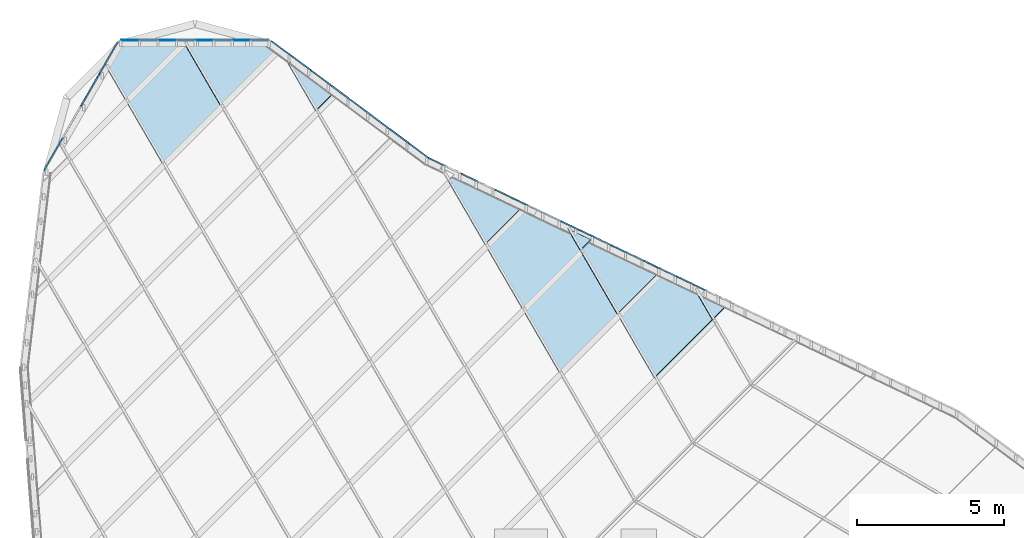
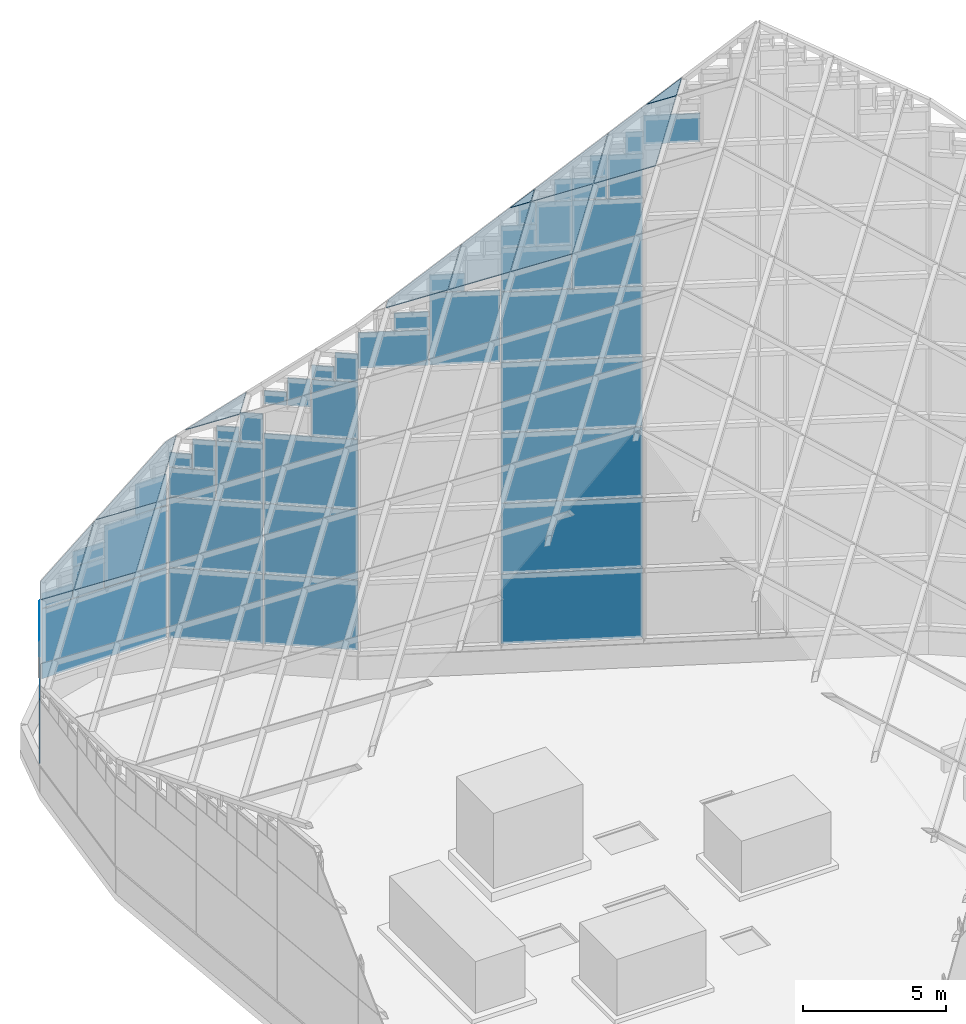
# One storey, part 21 of 29: 56 plates, 1 element without a shape of its own.
"""IFC4 building model written with IfcOpenShell, lengths in metres."""

from ifc_helpers import new_model, si_unit, direction, frame, origin, place, context, subcontext, project, spatial, polyline, outline, extrude, material, layer, layer_set, type_object, element, aggregate, save


model = new_model("IFC4")

# Units and contexts
model_context = context("Model", 3, precision=1e-05, world=origin(), true_north=direction((0.0, 1.0)))
body_context = subcontext(model_context, "Body", "Model", "MODEL_VIEW")
ifc_project = project(units=[si_unit("LENGTHUNIT", "METRE"), si_unit("AREAUNIT", "SQUARE_METRE"), si_unit("VOLUMEUNIT", "CUBIC_METRE"), si_unit("PLANEANGLEUNIT", "RADIAN"), si_unit("MASSUNIT", "GRAM", prefix="KILO")], contexts=[model_context])

# Site, building, storey
site_placement = place(None, origin())
site = spatial("IfcSite", under=ifc_project, at=site_placement, CompositionType="ELEMENT")
building_placement = place(site_placement, origin())
building = spatial("IfcBuilding", under=site, at=building_placement, Name="Tanit Gate Tower", CompositionType="ELEMENT")
storey_placement = place(building_placement, frame((0.0, 0.0, 445.300048828125)))
storey = spatial("IfcBuildingStorey", under=building, at=storey_placement, Name="ROOF", CompositionType="ELEMENT", Elevation=445.300048828125)

# Curtain wall, plates
ifc_material_1 = material(Name="Aluminium bronze anodised and glass", Category="aluminium")
curtain_wall_type = type_object("IfcCurtainWallType", Name="Curtain wall crown roof", PredefinedType="NOTDEFINED", material=ifc_material_1)
curtain_wall_placement = place(storey_placement, origin())
curtain_wall = element("IfcCurtainWall", 1, at=curtain_wall_placement, inside=storey, type_object=curtain_wall_type, Name="Crown lantern", PredefinedType="NOTDEFINED")
ifc_material_2 = material(Name="Glass tinted laminated safety", Category="glass")
ifc_layer = layer(ifc_material_2, 0.033935546875)
ifc_layer_set = layer_set([ifc_layer], Name="Glass panel 34 crown roof")
plate_type = type_object("IfcPlateType", Name="Glass panel 34 crown roof", PredefinedType="CURTAIN_PANEL", material=ifc_layer_set)
plate_1_placement = place(storey_placement, frame((9.159912109375, 11.9189453125, 22.21484375), z_axis=(0.43108842423, 0.902309686579, 0.0), x_axis=(-0.902309686579, 0.43108842423, 0.0)))
plate_1 = element("IfcPlate", 2, at=plate_1_placement, type_object=plate_type, Name="Lantern clerestory glass 5.8.2", PredefinedType="CURTAIN_PANEL", context=body_context, shape_type="SweptSolid", body=[
    extrude(outline(polyline([(0.0, 0.0), (1.9770767990288383, 0.0), (1.9770767990288383, 1.22021484375), (0.0, 1.22021484375), (0.0, 0.0)])), origin(), (0.0, 0.0, -1.0), 0.033935546875),
])
plate_2_placement = place(storey_placement, frame((7.348876953125, 12.7841796875, 1.21484375), z_axis=(0.431060203817, 0.902323168652, 0.0), x_axis=(-0.902323168652, 0.431060203817, 0.0)))
plate_2 = element("IfcPlate", 3, at=plate_2_placement, type_object=plate_type, Name="Lantern clerestory glass 6.1.1", PredefinedType="CURTAIN_PANEL", context=body_context, shape_type="SweptSolid", body=[
    extrude(outline(polyline([(0.0, 0.0), (4.961422687743921, 0.0), (4.961422687743921, 2.97021484375), (0.0, 2.97021484375), (0.0, 0.0)])), origin(), (0.0, 0.0, -1.0), 0.033935546875),
])
plate_3_placement = place(storey_placement, frame((7.348876953125, 12.7841796875, 4.21484375), z_axis=(0.431060203817, 0.902323168652, 0.0), x_axis=(-0.902323168652, 0.431060203817, 0.0)))
plate_3 = element("IfcPlate", 4, at=plate_3_placement, type_object=plate_type, Name="Lantern clerestory glass 6.2.1", PredefinedType="CURTAIN_PANEL", context=body_context, shape_type="SweptSolid", body=[
    extrude(outline(polyline([(0.0, 0.0), (4.961422687743921, 0.0), (4.961422687743921, 2.97021484375), (0.0, 2.97021484375), (0.0, 0.0)])), origin(), (0.0, 0.0, -1.0), 0.033935546875),
])
plate_4_placement = place(storey_placement, frame((7.348876953125, 12.7841796875, 7.21484375), z_axis=(0.431060203817, 0.902323168652, 0.0), x_axis=(-0.902323168652, 0.431060203817, 0.0)))
plate_4 = element("IfcPlate", 5, at=plate_4_placement, type_object=plate_type, Name="Lantern clerestory glass 6.3.1", PredefinedType="CURTAIN_PANEL", context=body_context, shape_type="SweptSolid", body=[
    extrude(outline(polyline([(0.0, 0.0), (4.961422687743921, 0.0), (4.961422687743921, 2.97021484375), (0.0, 2.97021484375), (0.0, 0.0)])), origin(), (0.0, 0.0, -1.0), 0.033935546875),
])
plate_5_placement = place(storey_placement, frame((7.348876953125, 12.7841796875, 10.21484375), z_axis=(0.431060203817, 0.902323168652, 0.0), x_axis=(-0.902323168652, 0.431060203817, 0.0)))
plate_5 = element("IfcPlate", 6, at=plate_5_placement, type_object=plate_type, Name="Lantern clerestory glass 6.4.1", PredefinedType="CURTAIN_PANEL", context=body_context, shape_type="SweptSolid", body=[
    extrude(outline(polyline([(0.0, 0.0), (4.961422687743921, 0.0), (4.961422687743921, 2.97021484375), (0.0, 2.97021484375), (0.0, 0.0)])), origin(), (0.0, 0.0, -1.0), 0.033935546875),
])
plate_6_placement = place(storey_placement, frame((7.348876953125, 12.7841796875, 13.21484375), z_axis=(0.431060203817, 0.902323168652, 0.0), x_axis=(-0.902323168652, 0.431060203817, 0.0)))
plate_6 = element("IfcPlate", 7, at=plate_6_placement, type_object=plate_type, Name="Lantern clerestory glass 6.5.1", PredefinedType="CURTAIN_PANEL", context=body_context, shape_type="SweptSolid", body=[
    extrude(outline(polyline([(0.0, 0.0), (4.961422687743921, 0.0), (4.961422687743921, 2.97021484375), (0.0, 2.97021484375), (0.0, 0.0)])), origin(), (0.0, 0.0, -1.0), 0.033935546875),
])
plate_7_placement = place(storey_placement, frame((7.348876953125, 12.7841796875, 16.21484375), z_axis=(0.4311016077, 0.902303387913, 0.0), x_axis=(-0.902303387913, 0.4311016077, 0.0)))
plate_7 = element("IfcPlate", 8, at=plate_7_placement, type_object=plate_type, Name="Lantern clerestory glass 6.6.1", PredefinedType="CURTAIN_PANEL", context=body_context, shape_type="SweptSolid", body=[
    extrude(outline(polyline([(0.0, 0.0), (2.4657488217707315, 0.0), (2.4657488217707315, 3.729736328125), (0.0, 3.729736328125), (0.0, 0.0)])), origin(), (0.0, 0.0, -1.0), 0.033935546875),
])
plate_8_placement = place(storey_placement, frame((5.096923828125, 13.860107421875, 16.21484375), z_axis=(0.431020991152, 0.902341900383, 0.0), x_axis=(-0.902341900383, 0.431020991152, 0.0)))
plate_8 = element("IfcPlate", 9, at=plate_8_placement, type_object=plate_type, Name="Lantern clerestory glass 6.6.2", PredefinedType="CURTAIN_PANEL", context=body_context, shape_type="SweptSolid", body=[
    extrude(outline(polyline([(0.0, 0.0), (2.465643582195466, 0.0), (2.465643582195466, 1.849853515625), (0.0, 1.849853515625), (0.0, 0.0)])), origin(), (0.0, 0.0, -1.0), 0.033935546875),
])
plate_9_placement = place(storey_placement, frame((5.096923828125, 13.860107421875, 18.0947265625), z_axis=(0.431022728609, 0.902341070451, 0.0), x_axis=(-0.902341070451, 0.431022728609, 0.0)))
plate_9 = element("IfcPlate", 10, at=plate_9_placement, type_object=plate_type, Name="Lantern clerestory glass 6.6.3", PredefinedType="CURTAIN_PANEL", context=body_context, shape_type="SweptSolid", body=[
    extrude(outline(polyline([(0.0, 0.0), (1.2178066466330058, 0.0), (1.2178066466330058, 1.8498535156249996), (0.0, 1.8498535156249996), (0.0, 0.0)])), origin(), (0.0, 0.0, -1.0), 0.033935546875),
])
plate_10_placement = place(storey_placement, frame((3.970947265625, 14.39794921875, 18.0947265625), z_axis=(0.431022728609, 0.902341070451, 0.0), x_axis=(-0.902341070451, 0.431022728609, 0.0)))
plate_10 = element("IfcPlate", 11, at=plate_10_placement, type_object=plate_type, Name="Lantern clerestory glass 6.6.4", PredefinedType="CURTAIN_PANEL", context=body_context, shape_type="SweptSolid", body=[
    extrude(outline(polyline([(0.0, 0.0), (1.2178066466330058, 0.0), (1.2178066466330058, 0.9099121093750002), (0.0, 0.9099121093750002), (0.0, 0.0)])), origin(), (0.0, 0.0, -1.0), 0.033935546875),
])
plate_11_placement = place(storey_placement, frame((3.970947265625, 14.39794921875, 19.03466796875), z_axis=(0.431193670556, 0.902259396445, 0.0), x_axis=(-0.902259396445, 0.431193670556, 0.0)))
plate_11 = element("IfcPlate", 12, at=plate_11_placement, type_object=plate_type, Name="Lantern clerestory glass 6.6.5", PredefinedType="CURTAIN_PANEL", context=body_context, shape_type="SweptSolid", body=[
    extrude(outline(polyline([(0.0, 0.0), (0.5939408045920368, 0.0), (0.5939408045920368, 0.9099121093749999), (0.0, 0.9099121093749999), (0.0, 0.0)])), origin(), (0.0, 0.0, -1.0), 0.033935546875),
])
plate_12_placement = place(storey_placement, frame((7.348876953125, 12.7841796875, 19.974609375), z_axis=(0.431022728609, 0.902341070451, 0.0), x_axis=(-0.902341070451, 0.431022728609, 0.0)))
plate_12 = element("IfcPlate", 13, at=plate_12_placement, type_object=plate_type, Name="Lantern clerestory glass 6.6.6", PredefinedType="CURTAIN_PANEL", context=body_context, shape_type="SweptSolid", body=[
    extrude(outline(polyline([(0.0, 0.0), (1.2178066466330058, 0.0), (1.2178066466330058, 1.8498535156249996), (0.0, 1.8498535156249996), (0.0, 0.0)])), origin(), (0.0, 0.0, -1.0), 0.033935546875),
])
plate_13_placement = place(storey_placement, frame((6.222900390625, 13.322021484375, 19.974609375), z_axis=(0.431185938647, 0.902263091516, 0.0), x_axis=(-0.902263091516, 0.431185938647, 0.0)))
plate_13 = element("IfcPlate", 14, at=plate_13_placement, type_object=plate_type, Name="Lantern clerestory glass 6.6.7", PredefinedType="CURTAIN_PANEL", context=body_context, shape_type="SweptSolid", body=[
    extrude(outline(polyline([(0.0, 0.0), (1.2179118967153189, 0.0), (1.2179118967153189, 0.9099121093750002), (0.0, 0.9099121093750002), (0.0, 0.0)])), origin(), (0.0, 0.0, -1.0), 0.033935546875),
])
plate_14_placement = place(storey_placement, frame((6.222900390625, 13.322021484375, 20.91455078125), z_axis=(0.431193670556, 0.902259396445, 0.0), x_axis=(-0.902259396445, 0.431193670556, 0.0)))
plate_14 = element("IfcPlate", 15, at=plate_14_placement, type_object=plate_type, Name="Lantern clerestory glass 6.6.8", PredefinedType="CURTAIN_PANEL", context=body_context, shape_type="SweptSolid", body=[
    extrude(outline(polyline([(0.0, 0.0), (0.5939408045920368, 0.0), (0.5939408045920368, 0.9099121093749999), (0.0, 0.9099121093749999), (0.0, 0.0)])), origin(), (0.0, 0.0, -1.0), 0.033935546875),
])
plate_15_placement = place(storey_placement, frame((7.348876953125, 12.7841796875, 21.8544921875), z_axis=(0.431193670556, 0.902259396445, 0.0), x_axis=(-0.902259396445, 0.431193670556, 0.0)))
plate_15 = element("IfcPlate", 16, at=plate_15_placement, type_object=plate_type, Name="Lantern clerestory glass 6.6.10", PredefinedType="CURTAIN_PANEL", context=body_context, shape_type="SweptSolid", body=[
    extrude(outline(polyline([(0.0, 0.0), (0.5939408045920368, 0.0), (0.5939408045920368, 0.9099121093749999), (0.0, 0.9099121093749999), (0.0, 0.0)])), origin(), (0.0, 0.0, -1.0), 0.033935546875),
])
plate_16_placement = place(storey_placement, frame((5.096923828125, 13.860107421875, 19.974609375), z_axis=(0.430858955566, 0.902419281935, 0.0), x_axis=(-0.902419281935, 0.430858955566, 0.0)))
plate_16 = element("IfcPlate", 17, at=plate_16_placement, type_object=plate_type, Name="Lantern clerestory glass 6.6.12", PredefinedType="CURTAIN_PANEL", context=body_context, shape_type="SweptSolid", body=[
    extrude(outline(polyline([(0.0, 0.0), (0.5938355735549548, 0.0), (0.5938355735549548, 0.909912109375), (0.0, 0.909912109375), (0.0, 0.0)])), origin(), (0.0, 0.0, -1.0), 0.033935546875),
])
plate_17_placement = place(storey_placement, frame((2.844970703125, 14.935791015625, 13.21484375), z_axis=(0.4311016077, 0.902303387913, 0.0), x_axis=(-0.902303387913, 0.4311016077, 0.0)))
plate_17 = element("IfcPlate", 18, at=plate_17_placement, type_object=plate_type, Name="Lantern clerestory glass 7.5.1", PredefinedType="CURTAIN_PANEL", context=body_context, shape_type="SweptSolid", body=[
    extrude(outline(polyline([(0.0, 0.0), (2.4657488217707315, 0.0), (2.4657488217707315, 3.065673828125), (0.0, 3.065673828125), (0.0, 0.0)])), origin(), (0.0, 0.0, -1.0), 0.033935546875),
])
plate_18_placement = place(storey_placement, frame((0.593017578125, 16.01171875, 13.21484375), z_axis=(0.4311016077, 0.902303387913, 0.0), x_axis=(-0.902303387913, 0.4311016077, 0.0)))
plate_18 = element("IfcPlate", 19, at=plate_18_placement, type_object=plate_type, Name="Lantern clerestory glass 7.5.2", PredefinedType="CURTAIN_PANEL", context=body_context, shape_type="SweptSolid", body=[
    extrude(outline(polyline([(0.0, 0.0), (2.4657488217707315, 0.0), (2.4657488217707315, 1.517822265625), (0.0, 1.517822265625), (0.0, 0.0)])), origin(), (0.0, 0.0, -1.0), 0.033935546875),
])
plate_19_placement = place(storey_placement, frame((0.593017578125, 16.01171875, 14.7626953125), z_axis=(0.431022728609, 0.902341070451, 0.0), x_axis=(-0.902341070451, 0.431022728609, 0.0)))
plate_19 = element("IfcPlate", 20, at=plate_19_placement, type_object=plate_type, Name="Lantern clerestory glass 7.5.3", PredefinedType="CURTAIN_PANEL", context=body_context, shape_type="SweptSolid", body=[
    extrude(outline(polyline([(0.0, 0.0), (1.2178066466330058, 0.0), (1.2178066466330058, 0.743896484375), (0.0, 0.743896484375), (0.0, 0.0)])), origin(), (0.0, 0.0, -1.0), 0.033935546875),
])
plate_20_placement = place(storey_placement, frame((1.718994140625, 15.473876953125, 16.310546875), z_axis=(0.431022728609, 0.902341070451, 0.0), x_axis=(-0.902341070451, 0.431022728609, 0.0)))
plate_20 = element("IfcPlate", 21, at=plate_20_placement, type_object=plate_type, Name="Lantern clerestory glass 7.5.7", PredefinedType="CURTAIN_PANEL", context=body_context, shape_type="SweptSolid", body=[
    extrude(outline(polyline([(0.0, 0.0), (1.2178066466330058, 0.0), (1.2178066466330058, 0.743896484375), (0.0, 0.743896484375), (0.0, 0.0)])), origin(), (0.0, 0.0, -1.0), 0.033935546875),
])
plate_21_placement = place(storey_placement, frame((-1.63525390625, 17.07666015625, 1.21484375), z_axis=(0.597336927647, 0.801990395746, 0.0), x_axis=(-0.801990395746, 0.597336927647, 0.0)))
plate_21 = element("IfcPlate", 22, at=plate_21_placement, type_object=plate_type, Name="Lantern clerestory glass 8.1.1", PredefinedType="CURTAIN_PANEL", context=body_context, shape_type="SweptSolid", body=[
    extrude(outline(polyline([(0.0, 0.0), (3.304461622522375, 0.0), (3.304461622522375, 2.97021484375), (0.0, 2.97021484375), (0.0, 0.0)])), origin(), (0.0, 0.0, -1.0), 0.033935546875),
])
plate_22_placement = place(storey_placement, frame((-1.63525390625, 17.07666015625, 4.21484375), z_axis=(0.597336927647, 0.801990395746, 0.0), x_axis=(-0.801990395746, 0.597336927647, 0.0)))
plate_22 = element("IfcPlate", 23, at=plate_22_placement, type_object=plate_type, Name="Lantern clerestory glass 8.2.1", PredefinedType="CURTAIN_PANEL", context=body_context, shape_type="SweptSolid", body=[
    extrude(outline(polyline([(0.0, 0.0), (3.304461622522375, 0.0), (3.304461622522375, 2.97021484375), (0.0, 2.97021484375), (0.0, 0.0)])), origin(), (0.0, 0.0, -1.0), 0.033935546875),
])
plate_23_placement = place(storey_placement, frame((-1.63525390625, 17.07666015625, 7.21484375), z_axis=(0.597336927647, 0.801990395746, 0.0), x_axis=(-0.801990395746, 0.597336927647, 0.0)))
plate_23 = element("IfcPlate", 24, at=plate_23_placement, type_object=plate_type, Name="Lantern clerestory glass 8.3.1", PredefinedType="CURTAIN_PANEL", context=body_context, shape_type="SweptSolid", body=[
    extrude(outline(polyline([(0.0, 0.0), (3.304461622522375, 0.0), (3.304461622522375, 2.97021484375), (0.0, 2.97021484375), (0.0, 0.0)])), origin(), (0.0, 0.0, -1.0), 0.033935546875),
])
plate_24_placement = place(storey_placement, frame((-1.63525390625, 17.07666015625, 10.21484375), z_axis=(0.597372270002, 0.801964070911, 0.0), x_axis=(-0.801964070911, 0.597372270002, 0.0)))
plate_24 = element("IfcPlate", 25, at=plate_24_placement, type_object=plate_type, Name="Lantern clerestory glass 8.4.1", PredefinedType="CURTAIN_PANEL", context=body_context, shape_type="SweptSolid", body=[
    extrude(outline(polyline([(0.0, 0.0), (1.6372158415500717, 0.0), (1.6372158415500717, 2.4013671875), (0.0, 2.4013671875), (0.0, 0.0)])), origin(), (0.0, 0.0, -1.0), 0.033935546875),
])
plate_25_placement = place(storey_placement, frame((-2.972412109375, 18.072509765625, 11.4306640625), z_axis=(0.597469833413, 0.801891388008, 0.0), x_axis=(-0.801891388008, 0.597469833413, 0.0)))
plate_25 = element("IfcPlate", 26, at=plate_25_placement, type_object=plate_type, Name="Lantern clerestory glass 8.4.3", PredefinedType="CURTAIN_PANEL", context=body_context, shape_type="SweptSolid", body=[
    extrude(outline(polyline([(0.0, 0.0), (0.8037637760411537, 0.0), (0.8037637760411537, 1.185546875), (0.0, 1.185546875), (0.0, 0.0)])), origin(), (0.0, 0.0, -1.0), 0.033935546875),
])
plate_26_placement = place(storey_placement, frame((-3.640869140625, 18.570556640625, 11.4306640625), z_axis=(0.597274462033, 0.802036917481, 0.0), x_axis=(-0.802036917481, 0.597274462033, 0.0)))
plate_26 = element("IfcPlate", 27, at=plate_26_placement, type_object=plate_type, Name="Lantern clerestory glass 8.4.4", PredefinedType="CURTAIN_PANEL", context=body_context, shape_type="SweptSolid", body=[
    extrude(outline(polyline([(0.0, 0.0), (0.8036179332294869, 0.0), (0.8036179332294869, 0.577880859375), (0.0, 0.577880859375), (0.0, 0.0)])), origin(), (0.0, 0.0, -1.0), 0.033935546875),
])
plate_27_placement = place(storey_placement, frame((-1.63525390625, 17.07666015625, 12.646240234375), z_axis=(0.597274462033, 0.802036917481, 0.0), x_axis=(-0.802036917481, 0.597274462033, 0.0)))
plate_27 = element("IfcPlate", 28, at=plate_27_placement, type_object=plate_type, Name="Lantern clerestory glass 8.4.5", PredefinedType="CURTAIN_PANEL", context=body_context, shape_type="SweptSolid", body=[
    extrude(outline(polyline([(0.0, 0.0), (0.8036179332294869, 0.0), (0.8036179332294869, 1.185791015625), (0.0, 1.185791015625), (0.0, 0.0)])), origin(), (0.0, 0.0, -1.0), 0.033935546875),
])
plate_28_placement = place(storey_placement, frame((-2.3037109375, 17.57470703125, 12.646240234375), z_axis=(0.597274462033, 0.802036917481, 0.0), x_axis=(-0.802036917481, 0.597274462033, 0.0)))
plate_28 = element("IfcPlate", 29, at=plate_28_placement, type_object=plate_type, Name="Lantern clerestory glass 8.4.6", PredefinedType="CURTAIN_PANEL", context=body_context, shape_type="SweptSolid", body=[
    extrude(outline(polyline([(0.0, 0.0), (0.8036179332294869, 0.0), (0.8036179332294869, 0.577880859375), (0.0, 0.577880859375), (0.0, 0.0)])), origin(), (0.0, 0.0, -1.0), 0.033935546875),
])
plate_29_placement = place(storey_placement, frame((-4.3095703125, 19.068603515625, 1.21484375), z_axis=(0.597336927647, 0.801990395746, 0.0), x_axis=(-0.801990395746, 0.597336927647, 0.0)))
plate_29 = element("IfcPlate", 30, at=plate_29_placement, type_object=plate_type, Name="Lantern clerestory glass 9.1.1", PredefinedType="CURTAIN_PANEL", context=body_context, shape_type="SweptSolid", body=[
    extrude(outline(polyline([(0.0, 0.0), (3.304461622522375, 0.0), (3.304461622522375, 2.97021484375), (0.0, 2.97021484375), (0.0, 0.0)])), origin(), (0.0, 0.0, -1.0), 0.033935546875),
])
plate_30_placement = place(storey_placement, frame((-4.3095703125, 19.068603515625, 4.21484375), z_axis=(0.597336927647, 0.801990395746, 0.0), x_axis=(-0.801990395746, 0.597336927647, 0.0)))
plate_30 = element("IfcPlate", 31, at=plate_30_placement, type_object=plate_type, Name="Lantern clerestory glass 9.2.1", PredefinedType="CURTAIN_PANEL", context=body_context, shape_type="SweptSolid", body=[
    extrude(outline(polyline([(0.0, 0.0), (3.304461622522375, 0.0), (3.304461622522375, 2.97021484375), (0.0, 2.97021484375), (0.0, 0.0)])), origin(), (0.0, 0.0, -1.0), 0.033935546875),
])
plate_31_placement = place(storey_placement, frame((-4.3095703125, 19.068603515625, 7.21484375), z_axis=(0.597372270002, 0.801964070911, 0.0), x_axis=(-0.801964070911, 0.597372270002, 0.0)))
plate_31 = element("IfcPlate", 32, at=plate_31_placement, type_object=plate_type, Name="Lantern clerestory glass 9.3.1", PredefinedType="CURTAIN_PANEL", context=body_context, shape_type="SweptSolid", body=[
    extrude(outline(polyline([(0.0, 0.0), (1.6372158415500717, 0.0), (1.6372158415500717, 2.51806640625), (0.0, 2.51806640625), (0.0, 0.0)])), origin(), (0.0, 0.0, -1.0), 0.033935546875),
])
plate_32_placement = place(storey_placement, frame((-5.646728515625, 20.064453125, 7.21484375), z_axis=(0.597372270002, 0.801964070911, 0.0), x_axis=(-0.801964070911, 0.597372270002, 0.0)))
plate_32 = element("IfcPlate", 33, at=plate_32_placement, type_object=plate_type, Name="Lantern clerestory glass 9.3.2", PredefinedType="CURTAIN_PANEL", context=body_context, shape_type="SweptSolid", body=[
    extrude(outline(polyline([(0.0, 0.0), (1.6372158415500717, 0.0), (1.6372158415500717, 1.244140625), (0.0, 1.244140625), (0.0, 0.0)])), origin(), (0.0, 0.0, -1.0), 0.033935546875),
])
plate_33_placement = place(storey_placement, frame((-5.646728515625, 20.064453125, 8.489013671875), z_axis=(0.597469833413, 0.801891388008, 0.0), x_axis=(-0.801891388008, 0.597469833413, 0.0)))
plate_33 = element("IfcPlate", 34, at=plate_33_placement, type_object=plate_type, Name="Lantern clerestory glass 9.3.3", PredefinedType="CURTAIN_PANEL", context=body_context, shape_type="SweptSolid", body=[
    extrude(outline(polyline([(0.0, 0.0), (0.8037637760411537, 0.0), (0.8037637760411537, 1.243896484375), (0.0, 1.243896484375), (0.0, 0.0)])), origin(), (0.0, 0.0, -1.0), 0.033935546875),
])
plate_34_placement = place(storey_placement, frame((-6.315185546875, 20.5625, 8.489013671875), z_axis=(0.597274462033, 0.802036917481, 0.0), x_axis=(-0.802036917481, 0.597274462033, 0.0)))
plate_34 = element("IfcPlate", 35, at=plate_34_placement, type_object=plate_type, Name="Lantern clerestory glass 9.3.4", PredefinedType="CURTAIN_PANEL", context=body_context, shape_type="SweptSolid", body=[
    extrude(outline(polyline([(0.0, 0.0), (0.8036179332294869, 0.0), (0.8036179332294869, 0.60693359375), (0.0, 0.60693359375), (0.0, 0.0)])), origin(), (0.0, 0.0, -1.0), 0.033935546875),
])
plate_35_placement = place(storey_placement, frame((-4.3095703125, 19.068603515625, 9.762939453125), z_axis=(0.597274462033, 0.802036917481, 0.0), x_axis=(-0.802036917481, 0.597274462033, 0.0)))
plate_35 = element("IfcPlate", 36, at=plate_35_placement, type_object=plate_type, Name="Lantern clerestory glass 9.3.5", PredefinedType="CURTAIN_PANEL", context=body_context, shape_type="SweptSolid", body=[
    extrude(outline(polyline([(0.0, 0.0), (0.8036179332294869, 0.0), (0.8036179332294869, 1.243896484375), (0.0, 1.243896484375), (0.0, 0.0)])), origin(), (0.0, 0.0, -1.0), 0.033935546875),
])
plate_36_placement = place(storey_placement, frame((-4.97802734375, 19.56640625, 9.762939453125), z_axis=(0.597469833413, 0.801891388008, 0.0), x_axis=(-0.801891388008, 0.597469833413, 0.0)))
plate_36 = element("IfcPlate", 37, at=plate_36_placement, type_object=plate_type, Name="Lantern clerestory glass 9.3.6", PredefinedType="CURTAIN_PANEL", context=body_context, shape_type="SweptSolid", body=[
    extrude(outline(polyline([(0.0, 0.0), (0.8037637760411537, 0.0), (0.8037637760411537, 0.60693359375), (0.0, 0.60693359375), (0.0, 0.0)])), origin(), (0.0, 0.0, -1.0), 0.033935546875),
])
plate_37_placement = place(storey_placement, frame((-7.06689453125, 21.078125, 1.21484375), z_axis=(0.000438446881, 0.999999903882, 0.0), x_axis=(-0.999999903882, 0.000438446881, 0.0)))
plate_37 = element("IfcPlate", 38, at=plate_37_placement, type_object=plate_type, Name="Lantern clerestory glass 10.1.1", PredefinedType="CURTAIN_PANEL", context=body_context, shape_type="SweptSolid", body=[
    extrude(outline(polyline([(0.0, 0.0), (5.011475091067155, 0.0), (5.011475091067155, 2.97021484375), (0.0, 2.97021484375), (0.0, 0.0)])), origin(), (0.0, 0.0, -1.0), 0.033935546875),
])
plate_38_placement = place(storey_placement, frame((-7.06689453125, 21.078125, 4.21484375), z_axis=(0.000392079954, 0.999999923137, 0.0), x_axis=(-0.999999923137, 0.000392079954, 0.0)))
plate_38 = element("IfcPlate", 39, at=plate_38_placement, type_object=plate_type, Name="Lantern clerestory glass 10.2.1", PredefinedType="CURTAIN_PANEL", context=body_context, shape_type="SweptSolid", body=[
    extrude(outline(polyline([(0.0, 0.0), (2.4907228476952974, 0.0), (2.4907228476952974, 2.634521484375), (0.0, 2.634521484375), (0.0, 0.0)])), origin(), (0.0, 0.0, -1.0), 0.033935546875),
])
plate_39_placement = place(storey_placement, frame((-9.587646484375, 21.079345703125, 4.21484375), z_axis=(0.000396904116, 0.999999921234, 0.0), x_axis=(-0.999999921234, 0.000396904116, 0.0)))
plate_39 = element("IfcPlate", 40, at=plate_39_placement, type_object=plate_type, Name="Lantern clerestory glass 10.2.2", PredefinedType="CURTAIN_PANEL", context=body_context, shape_type="SweptSolid", body=[
    extrude(outline(polyline([(0.0, 0.0), (1.230224706275423, 0.0), (1.230224706275423, 1.30224609375), (0.0, 1.30224609375), (0.0, 0.0)])), origin(), (0.0, 0.0, -1.0), 0.033935546875),
])
plate_40_placement = place(storey_placement, frame((-10.847900390625, 21.079833984375, 4.21484375), z_axis=(0.000396825366, 0.999999921265, 0.0), x_axis=(-0.999999921265, 0.000396825366, 0.0)))
plate_40 = element("IfcPlate", 41, at=plate_40_placement, type_object=plate_type, Name="Lantern clerestory glass 10.2.3", PredefinedType="CURTAIN_PANEL", context=body_context, shape_type="SweptSolid", body=[
    extrude(outline(polyline([(0.0, 0.0), (1.2304688468811966, 0.0), (1.2304688468811966, 0.63623046875), (0.0, 0.63623046875), (0.0, 0.0)])), origin(), (0.0, 0.0, -1.0), 0.033935546875),
])
plate_41_placement = place(storey_placement, frame((-9.587646484375, 21.079345703125, 5.547119140625), z_axis=(0.000396904116, 0.999999921234, 0.0), x_axis=(-0.999999921234, 0.000396904116, 0.0)))
plate_41 = element("IfcPlate", 42, at=plate_41_placement, type_object=plate_type, Name="Lantern clerestory glass 10.2.5", PredefinedType="CURTAIN_PANEL", context=body_context, shape_type="SweptSolid", body=[
    extrude(outline(polyline([(0.0, 0.0), (1.230224706275423, 0.0), (1.230224706275423, 0.6362304687500001), (0.0, 0.6362304687500001), (0.0, 0.0)])), origin(), (0.0, 0.0, -1.0), 0.033935546875),
])
plate_42_placement = place(storey_placement, frame((-7.06689453125, 21.078125, 6.87939453125), z_axis=(0.000396904116, 0.999999921234, 0.0), x_axis=(-0.999999921234, 0.000396904116, 0.0)))
plate_42 = element("IfcPlate", 43, at=plate_42_placement, type_object=plate_type, Name="Lantern clerestory glass 10.2.7", PredefinedType="CURTAIN_PANEL", context=body_context, shape_type="SweptSolid", body=[
    extrude(outline(polyline([(0.0, 0.0), (1.230224706275423, 0.0), (1.230224706275423, 1.30224609375), (0.0, 1.30224609375), (0.0, 0.0)])), origin(), (0.0, 0.0, -1.0), 0.033935546875),
])
plate_43_placement = place(storey_placement, frame((-12.217041015625, 21.000244140625, 1.21484375), z_axis=(-0.866630096088, 0.498951176523, 0.0), x_axis=(-0.498951176523, -0.866630096088, 0.0)))
plate_43 = element("IfcPlate", 44, at=plate_43_placement, type_object=plate_type, Name="Lantern clerestory glass 11.1.1", PredefinedType="CURTAIN_PANEL", context=body_context, shape_type="SweptSolid", body=[
    extrude(outline(polyline([(0.0, 0.0), (5.025189510966156, 0.0), (5.025189510966156, 2.732177734375), (0.0, 2.732177734375), (0.0, 0.0)])), origin(), (0.0, 0.0, -1.0), 0.033935546875),
])
plate_44_placement = place(storey_placement, frame((-12.217041015625, 21.000244140625, 3.97705078125), z_axis=(-0.866606900921, 0.498991462128, 0.0), x_axis=(-0.498991462128, -0.866606900921, 0.0)))
plate_44 = element("IfcPlate", 45, at=plate_44_placement, type_object=plate_type, Name="Lantern clerestory glass 11.2.1", PredefinedType="CURTAIN_PANEL", context=body_context, shape_type="SweptSolid", body=[
    extrude(outline(polyline([(0.0, 0.0), (1.233934251347518, 0.0), (1.233934251347518, 0.66259765625), (0.0, 0.66259765625), (0.0, 0.0)])), origin(), (0.0, 0.0, -1.0), 0.033935546875),
])
plate_45_placement = place(storey_placement, frame((-12.84765625, 19.905029296875, 3.97705078125), z_axis=(-0.866692455151, 0.498842849186, 0.0), x_axis=(-0.498842849186, -0.866692455151, 0.0)))
plate_45 = element("IfcPlate", 46, at=plate_45_placement, type_object=plate_type, Name="Lantern clerestory glass 11.2.2", PredefinedType="CURTAIN_PANEL", context=body_context, shape_type="SweptSolid", body=[
    extrude(outline(polyline([(0.0, 0.0), (1.233812445400417, 0.0), (1.233812445400417, 0.66259765625), (0.0, 0.66259765625), (0.0, 0.0)])), origin(), (0.0, 0.0, -1.0), 0.033935546875),
])
plate_46_placement = place(storey_placement, frame((-10.001708984375, 20.97119140625, 7.2529296875), z_axis=(-0.624504054263, 0.207437473297, 0.752970371848), x_axis=(-0.658392897607, -0.658433812345, -0.364669312038)))
plate_46 = element("IfcPlate", 47, at=plate_46_placement, type_object=plate_type, Name="Lantern roof glass E8.9.1", PredefinedType="CURTAIN_PANEL", context=body_context, shape_type="SweptSolid", body=[
    extrude(outline(polyline([(0.0, 0.0), (2.9500503645539125, -1.1102230246251565e-16), (2.949936092433135, 2.9719917025038955), (-0.04596151373869517, 2.971933170207084), (-0.04601711567214148, 0.041902581791069204), (0.0, 0.0)])), origin(), (0.0, 0.0, -1.0), 0.033935546875),
])
plate_47_placement = place(storey_placement, frame((-11.955810546875, 19.049072265625, 6.161865234375), z_axis=(-0.624471135348, 0.207465846625, 0.75298985624), x_axis=(0.658421863874, 0.658425124521, 0.364632698167)))
plate_47 = element("IfcPlate", 48, at=plate_47_placement, type_object=plate_type, Name="Lantern roof glass E8.10.1", PredefinedType="CURTAIN_PANEL", context=body_context, shape_type="SweptSolid", body=[
    extrude(outline(polyline([(0.0, 0.0), (2.919271216708946, -2.220446049250313e-16), (0.8609555327788287, 1.8745600994774794), (0.00015249934927896724, 1.5872276133975716), (0.0, 0.0)])), origin(), (0.0, 0.0, -1.0), 0.033935546875),
])
plate_48_placement = place(storey_placement, frame((-8.72021484375, 18.85400390625, 8.899169921875), z_axis=(-0.624480785001, 0.207446739314, 0.75298711776), x_axis=(0.658441465661, 0.658374065379, 0.36468949304)))
plate_48 = element("IfcPlate", 49, at=plate_48_placement, type_object=plate_type, Name="Lantern roof glass E9.9.1", PredefinedType="CURTAIN_PANEL", context=body_context, shape_type="SweptSolid", body=[
    extrude(outline(polyline([(0.0, 0.0), (2.868710416814431, 0.0), (2.7025419693653325, 0.4653280757337589), (-0.0002545257343704588, 2.926402321209369), (0.0, 0.0)])), origin(), (0.0, 0.0, -1.0), 0.033935546875),
])
plate_49_placement = place(storey_placement, frame((-5.484619140625, 18.65869140625, 11.636474609375), z_axis=(-0.624545850862, 0.207434433268, 0.752936541859), x_axis=(0.658394578776, 0.658394578776, 0.364737107076)))
plate_49 = element("IfcPlate", 50, at=plate_49_placement, type_object=plate_type, Name="Lantern roof glass E10.8.1", PredefinedType="CURTAIN_PANEL", context=body_context, shape_type="SweptSolid", body=[
    extrude(outline(polyline([(0.0, 0.0), (0.9411209117219459, -5.551115123125783e-17), (-5.738030841084818e-05, 2.6327003992225437), (0.0, 0.0)])), origin(), (0.0, 0.0, -1.0), 0.033935546875),
])
plate_50_placement = place(storey_placement, frame((3.516357421875, 13.904296875, 20.41162109375), z_axis=(-0.624491565552, 0.207467895005, 0.752972348162), x_axis=(-0.658417167069, -0.658417167069, -0.364655547356)))
plate_50 = element("IfcPlate", 51, at=plate_50_placement, type_object=plate_type, Name="Lantern roof glass E11.3.1", PredefinedType="CURTAIN_PANEL", context=body_context, shape_type="SweptSolid", body=[
    extrude(outline(polyline([(0.0, 0.0), (2.9960583482065744, -1.1102230246251565e-16), (2.9960611334161062, 2.971889131192224), (2.7852095315639147e-06, 2.9718891311922246), (0.0, 0.0)])), origin(), (0.0, 0.0, -1.0), 0.033935546875),
])
plate_51_placement = place(storey_placement, frame((1.5654296875, 15.38427734375, 18.3857421875), z_axis=(-0.624491066751, 0.20745142523, 0.752977299604), x_axis=(-0.658406067235, -0.658428721863, -0.364654725534)))
plate_51 = element("IfcPlate", 52, at=plate_51_placement, type_object=plate_type, Name="Lantern roof glass E11.4.1", PredefinedType="CURTAIN_PANEL", context=body_context, shape_type="SweptSolid", body=[
    extrude(outline(polyline([(0.0, 0.0), (1.94704966294076, -1.6653345369377348e-16), (1.9472532382489116, 2.9720657634780094), (-1.0488051095720776, 2.972106130401195), (-1.0489509509222636, 1.952150483372145), (0.0, 0.0)])), origin(), (0.0, 0.0, -1.0), 0.033935546875),
])
plate_52_placement = place(storey_placement, frame((-0.756103515625, 16.493408203125, 16.15478515625), z_axis=(-0.624531179957, 0.207413631203, 0.752954441419), x_axis=(-0.658430071099, -0.658335607184, -0.364779481039)))
plate_52 = element("IfcPlate", 53, at=plate_52_placement, type_object=plate_type, Name="Lantern roof glass E11.5.1", PredefinedType="CURTAIN_PANEL", context=body_context, shape_type="SweptSolid", body=[
    extrude(outline(polyline([(0.0, 0.0), (0.33523210282416815, -2.7755575615628914e-17), (0.334841655877296, 2.971889105301295), (-1.5970681991348261, 2.9717018376662816), (0.0, 0.0)])), origin(), (0.0, 0.0, -1.0), 0.033935546875),
])
plate_53_placement = place(storey_placement, frame((6.208740234375, 13.166015625, 22.84814453125), z_axis=(-0.624488637756, 0.207437481865, 0.752983155476), x_axis=(-0.658415741357, -0.658407335182, -0.364675873223)))
plate_53 = element("IfcPlate", 54, at=plate_53_placement, type_object=plate_type, Name="Lantern roof glass E12.2.1", PredefinedType="CURTAIN_PANEL", context=body_context, shape_type="SweptSolid", body=[
    extrude(outline(polyline([(0.0, 0.0), (2.171055412598145, -1.1102230246251565e-16), (2.171166492758079, 2.9720657681635023), (-0.824891854681745, 2.972012893824516), (-0.82502476024181, 1.5353313652133536), (0.0, 0.0)])), origin(), (0.0, 0.0, -1.0), 0.033935546875),
])
plate_54_placement = place(storey_placement, frame((3.88720703125, 14.275146484375, 20.616943359375), z_axis=(-0.624495330638, 0.20747695314, 0.752966729628), x_axis=(-0.658399409662, -0.65844899293, -0.364630142839)))
plate_54 = element("IfcPlate", 55, at=plate_54_placement, type_object=plate_type, Name="Lantern roof glass E12.3.1", PredefinedType="CURTAIN_PANEL", context=body_context, shape_type="SweptSolid", body=[
    extrude(outline(polyline([(0.0, 0.0), (0.5591488184518126, 5.551115123125783e-17), (0.5592835614379037, 2.9718891279521333), (-1.59679278186321, 2.972220336586781), (0.0, 0.0)])), origin(), (0.0, 0.0, -1.0), 0.033935546875),
])
plate_55_placement = place(storey_placement, frame((3.50732421875, 13.92724609375, 20.397705078125), z_axis=(-0.62457249983, 0.207291328273, 0.752953848306), x_axis=(0.658360942649, 0.658360942649, 0.364858518319)))
plate_55 = element("IfcPlate", 56, at=plate_55_placement, type_object=plate_type, Name="Lantern roof glass E12.4.1", PredefinedType="CURTAIN_PANEL", context=body_context, shape_type="SweptSolid", body=[
    extrude(outline(polyline([(0.0, 0.0), (0.5440090285947434, 0.0), (-0.0001807831464368248, 1.0126991220894523), (0.0, 0.0)])), origin(), (0.0, 0.0, -1.0), 0.033935546875),
])
plate_56_placement = place(storey_placement, frame((8.003173828125, 11.5615234375, 24.7783203125), z_axis=(-0.62447631766, 0.207439778187, 0.752992740408), x_axis=(0.658416836424, 0.658416836424, 0.36465674137)))
plate_56 = element("IfcPlate", 57, at=plate_56_placement, type_object=plate_type, Name="Lantern roof glass E13.2.1", PredefinedType="CURTAIN_PANEL", context=body_context, shape_type="SweptSolid", body=[
    extrude(outline(polyline([(0.0, 0.0), (0.7679257370165942, 2.7755575615628914e-17), (6.318082401512992e-05, 1.429012075106988), (0.0, 0.0)])), origin(), (0.0, 0.0, -1.0), 0.033935546875),
])
aggregate(curtain_wall, [plate_1, plate_2, plate_3, plate_4, plate_5, plate_6, plate_7, plate_8, plate_9, plate_10, plate_11, plate_12, plate_13, plate_14, plate_15, plate_16, plate_17, plate_18, plate_19, plate_20, plate_21, plate_22, plate_23, plate_24, plate_25, plate_26, plate_27, plate_28, plate_29, plate_30, plate_31, plate_32, plate_33, plate_34, plate_35, plate_36, plate_37, plate_38, plate_39, plate_40, plate_41, plate_42, plate_43, plate_44, plate_45, plate_46, plate_47, plate_48, plate_49, plate_50, plate_51, plate_52, plate_53, plate_54, plate_55, plate_56])

save(model, "model.ifc")
